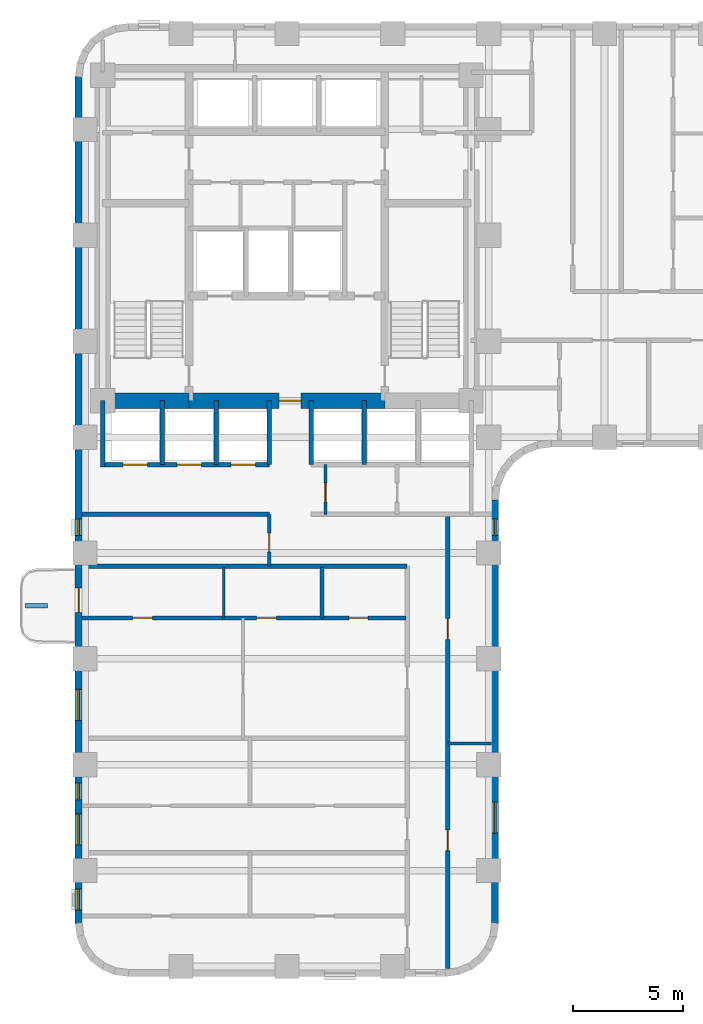
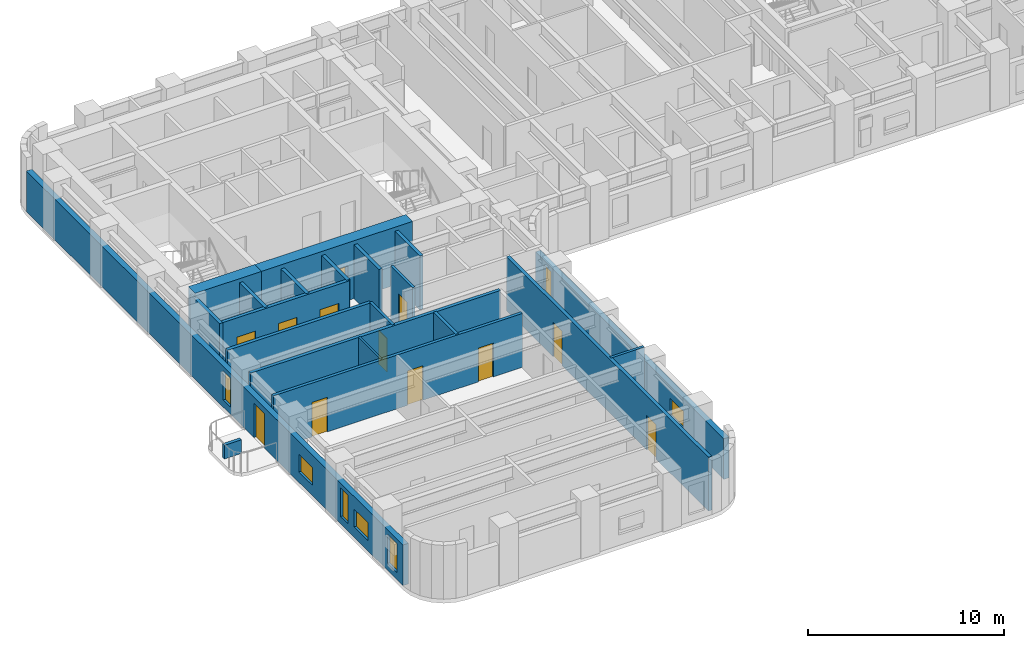
# One storey, part 3 of 11: 21 walls, 12 doors, 7 windows, 19 openings.
"""IFC4 building model written with IfcOpenShell, lengths in metres."""

from ifc_helpers import new_model, si_unit, direction, frame, frame_2d, origin, place, context, subcontext, project, spatial, rectangle, extrude, material, layer, layer_set, type_object, element, fill, save


model = new_model("IFC4")

# Units and contexts
model_context = context("Model", 3, precision=1e-05, world=origin(), true_north=direction((0.0, 1.0)))
body_context = subcontext(model_context, "Body", "Model", "MODEL_VIEW")
ifc_project = project(units=[si_unit("LENGTHUNIT", "METRE"), si_unit("AREAUNIT", "SQUARE_METRE"), si_unit("VOLUMEUNIT", "CUBIC_METRE"), si_unit("PLANEANGLEUNIT", "RADIAN"), si_unit("MASSUNIT", "GRAM", prefix="KILO")], contexts=[model_context])

# Site, building, storey
site_placement = place(None, origin())
site = spatial("IfcSite", under=ifc_project, at=site_placement, CompositionType="ELEMENT")
building_placement = place(site_placement, origin())
building = spatial("IfcBuilding", under=site, at=building_placement, Name="Orvandelia Arch Residences", CompositionType="ELEMENT")
storey_placement = place(building_placement, frame((0.0, 0.0, 79.0)))
storey = spatial("IfcBuildingStorey", under=building, at=storey_placement, Name="L20", CompositionType="ELEMENT", Elevation=79.0)

# Wall
ifc_material_1 = material(Name="Concrete C80/95", Category="concrete")
ifc_layer_1 = layer(ifc_material_1, 0.699951171875, Name="Concrete C80/95", Category="concrete")
ifc_layer_set_1 = layer_set([ifc_layer_1], Name="Concrete C80/95")
wall_type_1 = type_object("IfcWallType", Name="WL-CORE-700", PredefinedType="SHEAR", material=ifc_layer_set_1)
wall_1_placement = place(storey_placement, frame((6.050048828125, 30.89990234375, 0.0), z_axis=(0.0, 0.0, 1.0), x_axis=(1.0, 0.0, 0.0)))
element("IfcWall", 1, at=wall_1_placement, inside=storey, type_object=wall_type_1, Name="Core Shear Wall L20-SW", PredefinedType="SHEAR", context=body_context, shape_type="SweptSolid", body=[
    extrude(rectangle(XDim=3.909912109375, YDim=0.699951171875, at=frame_2d((1.955078125, 0.0))), origin(), (0.0, 0.0, 1.0), 3.60009765625),
])

# Wall, opening, door
wall_2_placement = place(storey_placement, frame((9.9599609375, 30.89990234375, 0.0), z_axis=(0.0, 0.0, 1.0), x_axis=(1.0, 0.0, 0.0)))
wall_2 = element("IfcWall", 2, at=wall_2_placement, inside=storey, type_object=wall_type_1, Name="Core Shear Wall L20-SM", PredefinedType="SHEAR", context=body_context, shape_type="SweptSolid", body=[
    extrude(rectangle(XDim=8.880126953125, YDim=0.699951171875, at=frame_2d((4.43994140625, 0.0))), origin(), (0.0, 0.0, 1.0), 3.60009765625),
])
opening_1_placement = place(wall_2_placement, frame((4.090087890625, 0.0, 0.0)))
opening_1 = element("IfcOpeningElement", 3, at=opening_1_placement, cuts=wall_2, Name="Opening D6", PredefinedType="OPENING", context=body_context, shape_type="SweptSolid", body=[
    extrude(rectangle(XDim=1.0, YDim=2.14990234375, at=frame_2d((0.5, 1.074951171875))), frame((0.0, 0.35986328125, 0.0), z_axis=(0.0, -1.0, 0.0), x_axis=(1.0, 0.0, 0.0)), (0.0, 0.0, 1.0), 0.719970703125),
])
ifc_material_2 = material(Name="Smokeproof Painted Steel Fire Door", Category="steel")
door_type_1 = type_object("IfcDoorType", Name="DR-FD60-1000", OperationType="NOTDEFINED", PredefinedType="DOOR", material=ifc_material_2)
door_1_placement = place(opening_1_placement, origin())
door_1 = element("IfcDoor", 4, at=door_1_placement, inside=storey, type_object=door_type_1, Name="Firefighting Lobby Smokeproof Door L20", OperationType="SINGLE_SWING_LEFT", OverallHeight=2.14990234375, OverallWidth=1.0, PredefinedType="DOOR", context=body_context, shape_type="SweptSolid", body=[
    extrude(rectangle(XDim=1.0, YDim=2.14990234375, at=frame_2d((0.5, 1.074951171875))), frame((0.0, 0.02490234375, 0.0), z_axis=(0.0, -1.0, 0.0), x_axis=(1.0, 0.0, 0.0)), (0.0, 0.0, 1.0), 0.050048828125),
])
fill(opening_1, door_1)

# Wall, openings, doors
ifc_material_3 = material(Name="Fire-Rated Corridor Partition")
ifc_layer_2 = layer(ifc_material_3, 0.199951171875, Name="Fire-Rated Corridor Partition")
ifc_layer_set_2 = layer_set([ifc_layer_2], Name="Fire-Rated Corridor Partition")
wall_type_2 = type_object("IfcWallType", Name="WL-CORR-200", PredefinedType="PARTITIONING", material=ifc_layer_set_2)
wall_3_placement = place(storey_placement, frame((21.699951171875, 5.159912109375, 0.0), z_axis=(0.0, 0.0, 1.0), x_axis=(0.0, 1.0, 0.0)))
wall_3 = element("IfcWall", 5, at=wall_3_placement, inside=storey, type_object=wall_type_2, Name="Interior Partition Wall WL-L20-WC-E", PredefinedType="PARTITIONING", context=body_context, shape_type="SweptSolid", body=[
    extrude(rectangle(XDim=20.590087890625, YDim=0.199951171875, at=frame_2d((10.294921875, 0.0))), origin(), (0.0, 0.0, 1.0), 3.35009765625),
])
opening_2_placement = place(wall_3_placement, frame((5.340087890625, 0.0, 0.0)))
opening_2 = element("IfcOpeningElement", 6, at=opening_2_placement, cuts=wall_3, Name="Opening D2", PredefinedType="OPENING", context=body_context, shape_type="SweptSolid", body=[
    extrude(rectangle(XDim=0.949951171875, YDim=2.14990234375, at=frame_2d((0.47509765625, 1.074951171875))), frame((0.0, 0.10986328125, 0.0), z_axis=(0.0, -1.0, 0.0), x_axis=(1.0, 0.0, 0.0)), (0.0, 0.0, 1.0), 0.219970703125),
])
opening_3_placement = place(wall_3_placement, frame((14.909912109375, 0.0, 0.0)))
opening_3 = element("IfcOpeningElement", 7, at=opening_3_placement, cuts=wall_3, Name="Opening D2", PredefinedType="OPENING", context=body_context, shape_type="SweptSolid", body=[
    extrude(rectangle(XDim=0.949951171875, YDim=2.14990234375, at=frame_2d((0.47509765625, 1.074951171875))), frame((0.0, 0.10986328125, 0.0), z_axis=(0.0, -1.0, 0.0), x_axis=(1.0, 0.0, 0.0)), (0.0, 0.0, 1.0), 0.219970703125),
])
ifc_material_4 = material(Name="Solid-Core Timber Interior Fire Door", Category="wood")
door_type_2 = type_object("IfcDoorType", Name="DR-APT-950", OperationType="NOTDEFINED", PredefinedType="DOOR", material=ifc_material_4)
door_2_placement = place(opening_2_placement, origin())
door_2 = element("IfcDoor", 8, at=door_2_placement, inside=storey, type_object=door_type_2, Name="DR-L20-EGALV1", OperationType="SINGLE_SWING_LEFT", OverallHeight=2.14990234375, OverallWidth=0.949951171875, PredefinedType="DOOR", context=body_context, shape_type="SweptSolid", body=[
    extrude(rectangle(XDim=0.949951171875, YDim=2.14990234375, at=frame_2d((0.47509765625, 1.074951171875))), frame((0.0, 0.02490234375, 0.0), z_axis=(0.0, -1.0, 0.0), x_axis=(1.0, 0.0, 0.0)), (0.0, 0.0, 1.0), 0.050048828125),
])
fill(opening_2, door_2)
door_3_placement = place(opening_3_placement, origin())
door_3 = element("IfcDoor", 9, at=door_3_placement, inside=storey, type_object=door_type_2, Name="DR-L20-EGLDY1", OperationType="SINGLE_SWING_RIGHT", OverallHeight=2.14990234375, OverallWidth=0.949951171875, PredefinedType="DOOR", context=body_context, shape_type="SweptSolid", body=[
    extrude(rectangle(XDim=0.949951171875, YDim=2.14990234375, at=frame_2d((0.47509765625, 1.074951171875))), frame((0.0, 0.02490234375, 0.0), z_axis=(0.0, -1.0, 0.0), x_axis=(1.0, 0.0, 0.0)), (0.0, 0.0, 1.0), 0.050048828125),
])
fill(opening_3, door_3)

# Walls
wall_4_placement = place(storey_placement, frame((5.1201171875, 23.39990234375, 0.0), z_axis=(0.0, 0.0, 1.0), x_axis=(1.0, 0.0, 0.0)))
element("IfcWall", 10, at=wall_4_placement, inside=storey, type_object=wall_type_2, Name="Interior Partition Wall WL-L20-WLNK-S", PredefinedType="PARTITIONING", context=body_context, shape_type="SweptSolid", body=[
    extrude(rectangle(XDim=14.72998046875, YDim=0.199951171875, at=frame_2d((7.364990234375, 0.0))), origin(), (0.0, 0.0, 1.0), 3.35009765625),
])
wall_5_placement = place(storey_placement, frame((5.1201171875, 25.75, 0.0), z_axis=(0.0, 0.0, 1.0), x_axis=(1.0, 0.0, 0.0)))
element("IfcWall", 11, at=wall_5_placement, inside=storey, type_object=wall_type_2, Name="Interior Partition Wall WL-L20-WLNK-NW2", PredefinedType="PARTITIONING", context=body_context, shape_type="SweptSolid", body=[
    extrude(rectangle(XDim=8.47998046875, YDim=0.199951171875, at=frame_2d((4.239990234375, 0.0))), origin(), (0.0, 0.0, 1.0), 3.35009765625),
])

# Wall, openings, windows
ifc_material_5 = material(Name="Precast concrete C40/50", Category="concrete")
ifc_layer_3 = layer(ifc_material_5, 0.320068359375, Name="Precast concrete C40/50", Category="concrete")
ifc_layer_set_3 = layer_set([ifc_layer_3], Name="Precast concrete C40/50")
wall_type_3 = type_object("IfcWallType", Name="WL-EXT-STONE-320", PredefinedType="STANDARD", material=ifc_layer_set_3)
wall_6_placement = place(storey_placement, frame((23.840087890625, 26.39990234375, 0.0), z_axis=(0.0, 0.0, 1.0), x_axis=(0.0, -1.0, 0.0)))
wall_6 = element("IfcWall", 12, at=wall_6_placement, inside=storey, type_object=wall_type_3, Name="Coral-Limestone Precast Facade Wall L20-028", PredefinedType="STANDARD", context=body_context, shape_type="SweptSolid", body=[
    extrude(rectangle(XDim=19.199951171875, YDim=0.320068359375, at=frame_2d((9.60009765625, 0.0))), origin(), (0.0, 0.0, 1.0), 2.530029296875),
])
opening_4_placement = place(wall_6_placement, frame((13.699951171875, 0.0, 0.64990234375)))
opening_4 = element("IfcOpeningElement", 13, at=opening_4_placement, cuts=wall_6, Name="Opening W10", PredefinedType="OPENING", context=body_context, shape_type="SweptSolid", body=[
    extrude(rectangle(XDim=1.39990234375, YDim=1.10009765625, at=frame_2d((0.699951171875, 0.550048828125))), frame((0.0, 0.169921875, 0.0), z_axis=(0.0, -1.0, 0.0), x_axis=(1.0, 0.0, 0.0)), (0.0, 0.0, 1.0), 0.340087890625),
])
opening_5_placement = place(wall_6_placement, frame((0.864990234375, 0.0, 0.449951171875)))
opening_5 = element("IfcOpeningElement", 14, at=opening_5_placement, cuts=wall_6, Name="Opening W11", PredefinedType="OPENING", context=body_context, shape_type="SweptSolid", body=[
    extrude(rectangle(XDim=0.75, YDim=1.800048828125, at=frame_2d((0.375, 0.89990234375))), frame((0.0, 0.169921875, 0.0), z_axis=(0.0, -1.0, 0.0), x_axis=(1.0, 0.0, 0.0)), (0.0, 0.0, 1.0), 0.340087890625),
])
ifc_material_6 = material(Name="Tempered Low-E Insulated Glazing", Category="glass")
window_type_1 = type_object("IfcWindowType", Name="WIN-BED-0750x1800", PartitioningType="SINGLE_PANEL", PredefinedType="WINDOW", material=ifc_material_6)
window_1_placement = place(opening_5_placement, origin())
window_1 = element("IfcWindow", 15, at=window_1_placement, inside=storey, type_object=window_type_1, Name="Recessed Punched Window L20-023", OverallHeight=1.800048828125, OverallWidth=0.75, PartitioningType="SINGLE_PANEL", PredefinedType="WINDOW", context=body_context, shape_type="SweptSolid", body=[
    extrude(rectangle(XDim=0.75, YDim=1.800048828125, at=frame_2d((0.375, 0.89990234375))), frame((0.0, 0.030029296875, 0.0), z_axis=(0.0, -1.0, 0.0), x_axis=(1.0, 0.0, 0.0)), (0.0, 0.0, 1.0), 0.06005859375),
])
fill(opening_5, window_1)
window_type_2 = type_object("IfcWindowType", Name="WIN-CLR-1400x1100", PartitioningType="SINGLE_PANEL", PredefinedType="WINDOW", material=ifc_material_6)
window_2_placement = place(opening_4_placement, origin())
window_2 = element("IfcWindow", 16, at=window_2_placement, inside=storey, type_object=window_type_2, Name="Recessed Punched Window L20-022", OverallHeight=1.10009765625, OverallWidth=1.39990234375, PartitioningType="SINGLE_PANEL", PredefinedType="WINDOW", context=body_context, shape_type="SweptSolid", body=[
    extrude(rectangle(XDim=1.39990234375, YDim=1.10009765625, at=frame_2d((0.699951171875, 0.550048828125))), frame((0.0, 0.030029296875, 0.0), z_axis=(0.0, -1.0, 0.0), x_axis=(1.0, 0.0, 0.0)), (0.0, 0.0, 1.0), 0.06005859375),
])
fill(opening_4, window_2)

# Wall, openings, door, windows
wall_7_placement = place(storey_placement, frame((4.9599609375, 7.199951171875, 0.0), z_axis=(0.0, 0.0, 1.0), x_axis=(0.0, 1.0, 0.0)))
wall_7 = element("IfcWall", 17, at=wall_7_placement, inside=storey, type_object=wall_type_3, Name="Coral-Limestone Precast Facade Wall L20-042", PredefinedType="STANDARD", context=body_context, shape_type="SweptSolid", body=[
    extrude(rectangle(XDim=38.400146484375, YDim=0.320068359375, at=frame_2d((19.2001953125, 0.0))), origin(), (0.0, 0.0, 1.0), 2.530029296875),
])
opening_6_placement = place(wall_7_placement, frame((14.10009765625, 0.0, 0.0)))
opening_6 = element("IfcOpeningElement", 18, at=opening_6_placement, cuts=wall_7, Name="Opening BD1", PredefinedType="OPENING", context=body_context, shape_type="SweptSolid", body=[
    extrude(rectangle(XDim=1.10009765625, YDim=2.14990234375, at=frame_2d((0.550048828125, 1.074951171875))), frame((0.0, 0.169921875, 0.0), z_axis=(0.0, -1.0, 0.0), x_axis=(1.0, 0.0, 0.0)), (0.0, 0.0, 1.0), 0.340087890625),
])
opening_7_placement = place(wall_7_placement, frame((3.570068359375, 0.0, 0.64990234375)))
opening_7 = element("IfcOpeningElement", 19, at=opening_7_placement, cuts=wall_7, Name="Opening W10", PredefinedType="OPENING", context=body_context, shape_type="SweptSolid", body=[
    extrude(rectangle(XDim=1.39990234375, YDim=1.10009765625, at=frame_2d((0.699951171875, 0.550048828125))), frame((0.0, 0.169921875, 0.0), z_axis=(0.0, -1.0, 0.0), x_axis=(1.0, 0.0, 0.0)), (0.0, 0.0, 1.0), 0.340087890625),
])
opening_8_placement = place(wall_7_placement, frame((0.611083984375, 0.0, 0.449951171875)))
opening_8 = element("IfcOpeningElement", 20, at=opening_8_placement, cuts=wall_7, Name="Opening W4", PredefinedType="OPENING", context=body_context, shape_type="SweptSolid", body=[
    extrude(rectangle(XDim=0.949951171875, YDim=1.800048828125, at=frame_2d((0.47509765625, 0.89990234375))), frame((0.0, 0.169921875, 0.0), z_axis=(0.0, -1.0, 0.0), x_axis=(1.0, 0.0, 0.0)), (0.0, 0.0, 1.0), 0.340087890625),
])
opening_9_placement = place(wall_7_placement, frame((5.610107421875, 0.0, 0.449951171875)))
opening_9 = element("IfcOpeningElement", 21, at=opening_9_placement, cuts=wall_7, Name="Opening W11", PredefinedType="OPENING", context=body_context, shape_type="SweptSolid", body=[
    extrude(rectangle(XDim=0.75, YDim=1.800048828125, at=frame_2d((0.375, 0.89990234375))), frame((0.0, 0.169921875, 0.0), z_axis=(0.0, -1.0, 0.0), x_axis=(1.0, 0.0, 0.0)), (0.0, 0.0, 1.0), 0.340087890625),
])
opening_10_placement = place(wall_7_placement, frame((9.215087890625, 0.0, 0.64990234375)))
opening_10 = element("IfcOpeningElement", 22, at=opening_10_placement, cuts=wall_7, Name="Opening W10", PredefinedType="OPENING", context=body_context, shape_type="SweptSolid", body=[
    extrude(rectangle(XDim=1.39990234375, YDim=1.10009765625, at=frame_2d((0.699951171875, 0.550048828125))), frame((0.0, 0.169921875, 0.0), z_axis=(0.0, -1.0, 0.0), x_axis=(1.0, 0.0, 0.0)), (0.0, 0.0, 1.0), 0.340087890625),
])
opening_11_placement = place(wall_7_placement, frame((17.580078125, 0.0, 0.449951171875)))
opening_11 = element("IfcOpeningElement", 23, at=opening_11_placement, cuts=wall_7, Name="Opening W11", PredefinedType="OPENING", context=body_context, shape_type="SweptSolid", body=[
    extrude(rectangle(XDim=0.75, YDim=1.800048828125, at=frame_2d((0.375, 0.89990234375))), frame((0.0, 0.169921875, 0.0), z_axis=(0.0, -1.0, 0.0), x_axis=(1.0, 0.0, 0.0)), (0.0, 0.0, 1.0), 0.340087890625),
])
ifc_material_7 = material(Name="Thermally Broken Aluminium Glazed Door", Category="aluminium")
door_type_3 = type_object("IfcDoorType", Name="DR-BAL-GLAZ-1100", OperationType="NOTDEFINED", PredefinedType="DOOR", material=ifc_material_7)
door_4_placement = place(opening_6_placement, origin())
door_4 = element("IfcDoor", 24, at=door_4_placement, inside=storey, type_object=door_type_3, Name="Tree Balcony Glazed Door BAL-L20-W1", OperationType="SINGLE_SWING_RIGHT", OverallHeight=2.14990234375, OverallWidth=1.10009765625, PredefinedType="DOOR", context=body_context, shape_type="SweptSolid", body=[
    extrude(rectangle(XDim=1.10009765625, YDim=2.14990234375, at=frame_2d((0.550048828125, 1.074951171875))), frame((0.0, 0.02490234375, 0.0), z_axis=(0.0, -1.0, 0.0), x_axis=(1.0, 0.0, 0.0)), (0.0, 0.0, 1.0), 0.050048828125),
])
fill(opening_6, door_4)
window_3_placement = place(opening_9_placement, origin())
window_3 = element("IfcWindow", 25, at=window_3_placement, inside=storey, type_object=window_type_1, Name="Recessed Punched Window L20-028", OverallHeight=1.800048828125, OverallWidth=0.75, PartitioningType="SINGLE_PANEL", PredefinedType="WINDOW", context=body_context, shape_type="SweptSolid", body=[
    extrude(rectangle(XDim=0.75, YDim=1.800048828125, at=frame_2d((0.375, 0.89990234375))), frame((0.0, 0.030029296875, 0.0), z_axis=(0.0, -1.0, 0.0), x_axis=(1.0, 0.0, 0.0)), (0.0, 0.0, 1.0), 0.06005859375),
])
fill(opening_9, window_3)
window_4_placement = place(opening_11_placement, origin())
window_4 = element("IfcWindow", 26, at=window_4_placement, inside=storey, type_object=window_type_1, Name="Recessed Punched Window L20-030", OverallHeight=1.800048828125, OverallWidth=0.75, PartitioningType="SINGLE_PANEL", PredefinedType="WINDOW", context=body_context, shape_type="SweptSolid", body=[
    extrude(rectangle(XDim=0.75, YDim=1.800048828125, at=frame_2d((0.375, 0.89990234375))), frame((0.0, 0.030029296875, 0.0), z_axis=(0.0, -1.0, 0.0), x_axis=(1.0, 0.0, 0.0)), (0.0, 0.0, 1.0), 0.06005859375),
])
fill(opening_11, window_4)
window_5_placement = place(opening_7_placement, origin())
window_5 = element("IfcWindow", 27, at=window_5_placement, inside=storey, type_object=window_type_2, Name="Recessed Punched Window L20-026", OverallHeight=1.10009765625, OverallWidth=1.39990234375, PartitioningType="SINGLE_PANEL", PredefinedType="WINDOW", context=body_context, shape_type="SweptSolid", body=[
    extrude(rectangle(XDim=1.39990234375, YDim=1.10009765625, at=frame_2d((0.699951171875, 0.550048828125))), frame((0.0, 0.030029296875, 0.0), z_axis=(0.0, -1.0, 0.0), x_axis=(1.0, 0.0, 0.0)), (0.0, 0.0, 1.0), 0.06005859375),
])
fill(opening_7, window_5)
window_6_placement = place(opening_10_placement, origin())
window_6 = element("IfcWindow", 28, at=window_6_placement, inside=storey, type_object=window_type_2, Name="Recessed Punched Window L20-029", OverallHeight=1.10009765625, OverallWidth=1.39990234375, PartitioningType="SINGLE_PANEL", PredefinedType="WINDOW", context=body_context, shape_type="SweptSolid", body=[
    extrude(rectangle(XDim=1.39990234375, YDim=1.10009765625, at=frame_2d((0.699951171875, 0.550048828125))), frame((0.0, 0.030029296875, 0.0), z_axis=(0.0, -1.0, 0.0), x_axis=(1.0, 0.0, 0.0)), (0.0, 0.0, 1.0), 0.06005859375),
])
fill(opening_10, window_6)
window_type_3 = type_object("IfcWindowType", Name="WIN-RES-0950x1800", PartitioningType="SINGLE_PANEL", PredefinedType="WINDOW", material=ifc_material_6)
window_7_placement = place(opening_8_placement, origin())
window_7 = element("IfcWindow", 29, at=window_7_placement, inside=storey, type_object=window_type_3, Name="Recessed Punched Window L20-027", OverallHeight=1.800048828125, OverallWidth=0.949951171875, PartitioningType="SINGLE_PANEL", PredefinedType="WINDOW", context=body_context, shape_type="SweptSolid", body=[
    extrude(rectangle(XDim=0.949951171875, YDim=1.800048828125, at=frame_2d((0.47509765625, 0.89990234375))), frame((0.0, 0.030029296875, 0.0), z_axis=(0.0, -1.0, 0.0), x_axis=(1.0, 0.0, 0.0)), (0.0, 0.0, 1.0), 0.06005859375),
])
fill(opening_8, window_7)

# Wall
ifc_material_8 = material(Name="Lightweight Gypsum Stud Partition")
ifc_layer_4 = layer(ifc_material_8, 0.1201171875, Name="Lightweight Gypsum Stud Partition")
ifc_layer_set_4 = layer_set([ifc_layer_4], Name="Lightweight Gypsum Stud Partition")
wall_type_4 = type_object("IfcWallType", Name="WL-PART-120", PredefinedType="PARTITIONING", material=ifc_layer_set_4)
wall_8_placement = place(storey_placement, frame((11.541015625, 21.06005859375, 0.0), z_axis=(0.0, 0.0, 1.0), x_axis=(0.0, 1.0, 0.0)))
element("IfcWall", 30, at=wall_8_placement, inside=storey, type_object=wall_type_4, Name="Interior Partition Wall WL-L20-U03-V1", PredefinedType="PARTITIONING", context=body_context, shape_type="SweptSolid", body=[
    extrude(rectangle(XDim=2.280029296875, YDim=0.1201171875, at=frame_2d((1.14013671875, 0.0))), origin(), (0.0, 0.0, 1.0), 3.35009765625),
])

# Wall, opening, door
ifc_material_9 = material(Name="Acoustic Gypsum Stud Partition")
ifc_layer_5 = layer(ifc_material_9, 0.14990234375, Name="Acoustic Gypsum Stud Partition")
ifc_layer_set_5 = layer_set([ifc_layer_5], Name="Acoustic Gypsum Stud Partition")
wall_type_5 = type_object("IfcWallType", Name="WL-PART-150", PredefinedType="PARTITIONING", material=ifc_layer_set_5)
wall_9_placement = place(storey_placement, frame((16.14990234375, 25.75, 0.0), z_axis=(0.0, 0.0, 1.0), x_axis=(0.0, 1.0, 0.0)))
wall_9 = element("IfcWall", 31, at=wall_9_placement, inside=storey, type_object=wall_type_5, Name="Interior Partition Wall WL-L20-HLS-EW", PredefinedType="PARTITIONING", context=body_context, shape_type="SweptSolid", body=[
    extrude(rectangle(XDim=2.25, YDim=0.14990234375, at=frame_2d((1.125, 0.0))), origin(), (0.0, 0.0, 1.0), 3.35009765625),
])
opening_12_placement = place(wall_9_placement, frame((0.550048828125, 0.0, 0.0)))
opening_12 = element("IfcOpeningElement", 32, at=opening_12_placement, cuts=wall_9, Name="Opening D5", PredefinedType="OPENING", context=body_context, shape_type="SweptSolid", body=[
    extrude(rectangle(XDim=0.8798828125, YDim=2.10009765625, at=frame_2d((0.43994140625, 1.050048828125))), frame((0.0, 0.0849609375, 0.0), z_axis=(0.0, -1.0, 0.0), x_axis=(1.0, 0.0, 0.0)), (0.0, 0.0, 1.0), 0.169921875),
])
ifc_material_10 = material(Name="Painted Galvanised Steel Service Door", Category="steel")
door_type_4 = type_object("IfcDoorType", Name="DR-SRV-880", OperationType="NOTDEFINED", PredefinedType="DOOR", material=ifc_material_10)
door_5_placement = place(opening_12_placement, origin())
door_5 = element("IfcDoor", 33, at=door_5_placement, inside=storey, type_object=door_type_4, Name="DR-L20-CSZ1A", OperationType="SINGLE_SWING_LEFT", OverallHeight=2.10009765625, OverallWidth=0.8798828125, PredefinedType="DOOR", context=body_context, shape_type="SweptSolid", body=[
    extrude(rectangle(XDim=0.8798828125, YDim=2.10009765625, at=frame_2d((0.43994140625, 1.050048828125))), frame((0.0, 0.02490234375, 0.0), z_axis=(0.0, -1.0, 0.0), x_axis=(1.0, 0.0, 0.0)), (0.0, 0.0, 1.0), 0.050048828125),
])
fill(opening_12, door_5)

wall_10_placement = place(storey_placement, frame((13.60009765625, 23.39990234375, 0.0), z_axis=(0.0, 0.0, 1.0), x_axis=(0.0, 1.0, 0.0)))
wall_10 = element("IfcWall", 34, at=wall_10_placement, inside=storey, type_object=wall_type_5, Name="Interior Partition Wall WL-L20-WLNK-W", PredefinedType="PARTITIONING", context=body_context, shape_type="SweptSolid", body=[
    extrude(rectangle(XDim=2.35009765625, YDim=0.14990234375, at=frame_2d((1.175048828125, 0.0))), origin(), (0.0, 0.0, 1.0), 3.35009765625),
])
opening_13_placement = place(wall_10_placement, frame((0.64990234375, 0.0, 0.0)))
opening_13 = element("IfcOpeningElement", 35, at=opening_13_placement, cuts=wall_10, Name="Opening D4", PredefinedType="OPENING", context=body_context, shape_type="SweptSolid", body=[
    extrude(rectangle(XDim=0.860107421875, YDim=2.10009765625, at=frame_2d((0.43017578125, 1.050048828125))), frame((0.0, 0.0849609375, 0.0), z_axis=(0.0, -1.0, 0.0), x_axis=(1.0, 0.0, 0.0)), (0.0, 0.0, 1.0), 0.169921875),
])
ifc_material_11 = material(Name="Moisture-Sealed Timber Bathroom Door", Category="wood")
door_type_5 = type_object("IfcDoorType", Name="DR-WET-900", OperationType="NOTDEFINED", PredefinedType="DOOR", material=ifc_material_11)
door_6_placement = place(opening_13_placement, origin())
door_6 = element("IfcDoor", 36, at=door_6_placement, inside=storey, type_object=door_type_5, Name="DR-L20-WLNKST", OperationType="SINGLE_SWING_LEFT", OverallHeight=2.10009765625, OverallWidth=0.860107421875, PredefinedType="DOOR", context=body_context, shape_type="SweptSolid", body=[
    extrude(rectangle(XDim=0.860107421875, YDim=2.10009765625, at=frame_2d((0.43017578125, 1.050048828125))), frame((0.0, 0.02490234375, 0.0), z_axis=(0.0, -1.0, 0.0), x_axis=(1.0, 0.0, 0.0)), (0.0, 0.0, 1.0), 0.050048828125),
])
fill(opening_13, door_6)

# Walls
wall_11_placement = place(storey_placement, frame((21.699951171875, 15.360107421875, 0.0), z_axis=(0.0, 0.0, 1.0), x_axis=(1.0, 0.0, 0.0)))
element("IfcWall", 37, at=wall_11_placement, inside=storey, type_object=wall_type_5, Name="Interior Partition Wall WL-L20-EGDIV-1", PredefinedType="PARTITIONING", context=body_context, shape_type="SweptSolid", body=[
    extrude(rectangle(XDim=1.97998046875, YDim=0.14990234375, at=frame_2d((0.989990234375, 0.0))), origin(), (0.0, 0.0, 1.0), 3.35009765625),
])
ifc_layer_6 = layer(ifc_material_5, 0.199951171875, Name="Precast concrete C40/50", Category="concrete")
ifc_layer_set_6 = layer_set([ifc_layer_6], Name="Precast concrete C40/50")
wall_type_6 = type_object("IfcWallType", Name="WL-PLANTER-200", PredefinedType="MOVABLE", material=ifc_layer_set_6)
wall_12_placement = place(storey_placement, frame((2.550048828125, 21.60009765625, 0.0), z_axis=(0.0, 0.0, 1.0), x_axis=(1.0, 0.0, 0.0)))
element("IfcWall", 38, at=wall_12_placement, inside=storey, type_object=wall_type_6, Name="Balcony Precast Tree Planter BAL-L20-W1", PredefinedType="MOVABLE", context=body_context, shape_type="SweptSolid", body=[
    extrude(rectangle(XDim=1.0, YDim=0.199951171875, at=frame_2d((0.5, 0.0))), origin(), (0.0, 0.0, 1.0), 0.85009765625),
])

# Wall, openings, doors
ifc_material_12 = material(Name="Fire-Rated Shaft Enclosure Wall")
ifc_layer_7 = layer(ifc_material_12, 0.199951171875, Name="Fire-Rated Shaft Enclosure Wall")
ifc_layer_set_7 = layer_set([ifc_layer_7], Name="Fire-Rated Shaft Enclosure Wall")
wall_type_7 = type_object("IfcWallType", Name="WL-SHAFT-200", PredefinedType="POLYGONAL", material=ifc_layer_set_7)
wall_13_placement = place(storey_placement, frame((6.050048828125, 28.0, 0.0), z_axis=(0.0, 0.0, 1.0), x_axis=(1.0, 0.0, 0.0)))
wall_13 = element("IfcWall", 39, at=wall_13_placement, inside=storey, type_object=wall_type_7, Name="Interior Partition Wall WL-L20-BNKL-S", PredefinedType="POLYGONAL", context=body_context, shape_type="SweptSolid", body=[
    extrude(rectangle(XDim=7.550048828125, YDim=0.199951171875, at=frame_2d((3.77490234375, 0.0))), origin(), (0.0, 0.0, 1.0), 3.35009765625),
])
opening_14_placement = place(wall_13_placement, frame((0.925048828125, 0.0, 0.0)))
opening_14 = element("IfcOpeningElement", 40, at=opening_14_placement, cuts=wall_13, Name="Opening LD", PredefinedType="OPENING", context=body_context, shape_type="SweptSolid", body=[
    extrude(rectangle(XDim=1.10009765625, YDim=2.14990234375, at=frame_2d((0.550048828125, 1.074951171875))), frame((0.0, 0.10986328125, 0.0), z_axis=(0.0, -1.0, 0.0), x_axis=(1.0, 0.0, 0.0)), (0.0, 0.0, 1.0), 0.219970703125),
])
opening_15_placement = place(wall_13_placement, frame((3.375, 0.0, 0.0)))
opening_15 = element("IfcOpeningElement", 41, at=opening_15_placement, cuts=wall_13, Name="Opening LD", PredefinedType="OPENING", context=body_context, shape_type="SweptSolid", body=[
    extrude(rectangle(XDim=1.10009765625, YDim=2.14990234375, at=frame_2d((0.550048828125, 1.074951171875))), frame((0.0, 0.10986328125, 0.0), z_axis=(0.0, -1.0, 0.0), x_axis=(1.0, 0.0, 0.0)), (0.0, 0.0, 1.0), 0.219970703125),
])
opening_16_placement = place(wall_13_placement, frame((5.824951171875, 0.0, 0.0)))
opening_16 = element("IfcOpeningElement", 42, at=opening_16_placement, cuts=wall_13, Name="Opening LD", PredefinedType="OPENING", context=body_context, shape_type="SweptSolid", body=[
    extrude(rectangle(XDim=1.10009765625, YDim=2.14990234375, at=frame_2d((0.550048828125, 1.074951171875))), frame((0.0, 0.10986328125, 0.0), z_axis=(0.0, -1.0, 0.0), x_axis=(1.0, 0.0, 0.0)), (0.0, 0.0, 1.0), 0.219970703125),
])
ifc_material_13 = material(Name="Brushed Stainless Steel Sliding Lift Door", Category="steel")
door_type_6 = type_object("IfcDoorType", Name="DR-LIFT-1100", OperationType="NOTDEFINED", PredefinedType="DOOR", material=ifc_material_13)
door_7_placement = place(opening_14_placement, origin())
door_7 = element("IfcDoor", 43, at=door_7_placement, inside=storey, type_object=door_type_6, Name="Lift Landing Door LD-PL1", OperationType="SLIDING_TO_LEFT", OverallHeight=2.14990234375, OverallWidth=1.10009765625, PredefinedType="DOOR", context=body_context, shape_type="SweptSolid", body=[
    extrude(rectangle(XDim=1.10009765625, YDim=2.14990234375, at=frame_2d((0.550048828125, 1.074951171875))), frame((0.0, 0.02490234375, 0.0), z_axis=(0.0, -1.0, 0.0), x_axis=(1.0, 0.0, 0.0)), (0.0, 0.0, 1.0), 0.050048828125),
])
fill(opening_14, door_7)
door_8_placement = place(opening_15_placement, origin())
door_8 = element("IfcDoor", 44, at=door_8_placement, inside=storey, type_object=door_type_6, Name="Lift Landing Door LD-PL2", OperationType="SLIDING_TO_RIGHT", OverallHeight=2.14990234375, OverallWidth=1.10009765625, PredefinedType="DOOR", context=body_context, shape_type="SweptSolid", body=[
    extrude(rectangle(XDim=1.10009765625, YDim=2.14990234375, at=frame_2d((0.550048828125, 1.074951171875))), frame((0.0, 0.02490234375, 0.0), z_axis=(0.0, -1.0, 0.0), x_axis=(1.0, 0.0, 0.0)), (0.0, 0.0, 1.0), 0.050048828125),
])
fill(opening_15, door_8)
door_9_placement = place(opening_16_placement, origin())
door_9 = element("IfcDoor", 45, at=door_9_placement, inside=storey, type_object=door_type_6, Name="Lift Landing Door LD-PL3", OperationType="SLIDING_TO_LEFT", OverallHeight=2.14990234375, OverallWidth=1.10009765625, PredefinedType="DOOR", context=body_context, shape_type="SweptSolid", body=[
    extrude(rectangle(XDim=1.10009765625, YDim=2.14990234375, at=frame_2d((0.550048828125, 1.074951171875))), frame((0.0, 0.02490234375, 0.0), z_axis=(0.0, -1.0, 0.0), x_axis=(1.0, 0.0, 0.0)), (0.0, 0.0, 1.0), 0.050048828125),
])
fill(opening_16, door_9)

# Walls
wall_14_placement = place(storey_placement, frame((6.050048828125, 27.89990234375, 0.0), z_axis=(0.0, 0.0, 1.0), x_axis=(0.0, 1.0, 0.0)))
element("IfcWall", 46, at=wall_14_placement, inside=storey, type_object=wall_type_7, Name="Interior Partition Wall WL-L20-BNKL-W", PredefinedType="POLYGONAL", context=body_context, shape_type="SweptSolid", body=[
    extrude(rectangle(XDim=3.0, YDim=0.199951171875, at=frame_2d((1.5, 0.0))), origin(), (0.0, 0.0, 1.0), 3.35009765625),
])
for number, where, z_axis, x_axis, name in (
    (47, (13.60009765625, 28.0, 0.0), (0.0, 0.0, 1.0), (0.0, 1.0, 0.0), "Interior Partition Wall WL-L20-BNKL-E"),
    (48, (15.5, 28.0, 0.0), (0.0, 0.0, 1.0), (0.0, 1.0, 0.0), "Interior Partition Wall WL-L20-BNKM-W"),
    (49, (8.75, 28.0, 0.0), (0.0, 0.0, 1.0), (0.0, 1.0, 0.0), "Interior Partition Wall WL-L20-BNKD-875"),
    (50, (11.199951171875, 28.0, 0.0), (0.0, 0.0, 1.0), (0.0, 1.0, 0.0), "Interior Partition Wall WL-L20-BNKD-1120"),
    (51, (17.89990234375, 28.0, 0.0), (0.0, 0.0, 1.0), (0.0, 1.0, 0.0), "Interior Partition Wall WL-L20-BNKD-1789"),
):
    element("IfcWall", number, at=place(storey_placement, frame(where, z_axis=z_axis, x_axis=x_axis)), inside=storey, type_object=wall_type_7, Name=name, PredefinedType="POLYGONAL", context=body_context, shape_type="SweptSolid", body=[
        extrude(rectangle(XDim=2.89990234375, YDim=0.199951171875, at=frame_2d((1.449951171875, 0.0))), origin(), (0.0, 0.0, 1.0), 3.35009765625),
    ])

# Wall, openings, doors
ifc_material_14 = material(Name="Moisture-Resistant Plumbing Wall")
ifc_layer_8 = layer(ifc_material_14, 0.179931640625, Name="Moisture-Resistant Plumbing Wall")
ifc_layer_set_8 = layer_set([ifc_layer_8], Name="Moisture-Resistant Plumbing Wall")
wall_type_8 = type_object("IfcWallType", Name="WL-WET-180", PredefinedType="PLUMBINGWALL", material=ifc_layer_set_8)
wall_15_placement = place(storey_placement, frame((5.1201171875, 21.06005859375, 0.0), z_axis=(0.0, 0.0, 1.0), x_axis=(1.0, 0.0, 0.0)))
wall_15 = element("IfcWall", 52, at=wall_15_placement, inside=storey, type_object=wall_type_8, Name="Interior Partition Wall WL-L20-U03-HZ", PredefinedType="PLUMBINGWALL", context=body_context, shape_type="SweptSolid", body=[
    extrude(rectangle(XDim=14.669921875, YDim=0.179931640625, at=frame_2d((7.3349609375, 0.0))), origin(), (0.0, 0.0, 1.0), 3.35009765625),
])
opening_17_placement = place(wall_15_placement, frame((2.283935546875, 0.0, 0.0)))
opening_17 = element("IfcOpeningElement", 53, at=opening_17_placement, cuts=wall_15, Name="Opening D3", PredefinedType="OPENING", context=body_context, shape_type="SweptSolid", body=[
    extrude(rectangle(XDim=0.89990234375, YDim=2.14990234375, at=frame_2d((0.449951171875, 1.074951171875))), frame((0.0, 0.10009765625, 0.0), z_axis=(0.0, -1.0, 0.0), x_axis=(1.0, 0.0, 0.0)), (0.0, 0.0, 1.0), 0.199951171875),
])
opening_18_placement = place(wall_15_placement, frame((7.90771484375, 0.0, 0.0)))
opening_18 = element("IfcOpeningElement", 54, at=opening_18_placement, cuts=wall_15, Name="Opening D3", PredefinedType="OPENING", context=body_context, shape_type="SweptSolid", body=[
    extrude(rectangle(XDim=0.89990234375, YDim=2.14990234375, at=frame_2d((0.449951171875, 1.074951171875))), frame((0.0, 0.10009765625, 0.0), z_axis=(0.0, -1.0, 0.0), x_axis=(1.0, 0.0, 0.0)), (0.0, 0.0, 1.0), 0.199951171875),
])
opening_19_placement = place(wall_15_placement, frame((12.087890625, 0.0, 0.0)))
opening_19 = element("IfcOpeningElement", 55, at=opening_19_placement, cuts=wall_15, Name="Opening D4", PredefinedType="OPENING", context=body_context, shape_type="SweptSolid", body=[
    extrude(rectangle(XDim=0.860107421875, YDim=2.10009765625, at=frame_2d((0.43017578125, 1.050048828125))), frame((0.0, 0.10009765625, 0.0), z_axis=(0.0, -1.0, 0.0), x_axis=(1.0, 0.0, 0.0)), (0.0, 0.0, 1.0), 0.199951171875),
])
ifc_material_15 = material(Name="Engineered Timber Flush Door", Category="wood")
door_type_7 = type_object("IfcDoorType", Name="DR-INT-900", OperationType="NOTDEFINED", PredefinedType="DOOR", material=ifc_material_15)
door_10_placement = place(opening_17_placement, origin())
door_10 = element("IfcDoor", 56, at=door_10_placement, inside=storey, type_object=door_type_7, Name="DR-L20-U03-BD1", OperationType="SINGLE_SWING_LEFT", OverallHeight=2.14990234375, OverallWidth=0.89990234375, PredefinedType="DOOR", context=body_context, shape_type="SweptSolid", body=[
    extrude(rectangle(XDim=0.89990234375, YDim=2.14990234375, at=frame_2d((0.449951171875, 1.074951171875))), frame((0.0, 0.02490234375, 0.0), z_axis=(0.0, -1.0, 0.0), x_axis=(1.0, 0.0, 0.0)), (0.0, 0.0, 1.0), 0.050048828125),
])
fill(opening_17, door_10)
door_11_placement = place(opening_18_placement, origin())
door_11 = element("IfcDoor", 57, at=door_11_placement, inside=storey, type_object=door_type_7, Name="DR-L20-U03-KIT", OperationType="SINGLE_SWING_RIGHT", OverallHeight=2.14990234375, OverallWidth=0.89990234375, PredefinedType="DOOR", context=body_context, shape_type="SweptSolid", body=[
    extrude(rectangle(XDim=0.89990234375, YDim=2.14990234375, at=frame_2d((0.449951171875, 1.074951171875))), frame((0.0, 0.02490234375, 0.0), z_axis=(0.0, -1.0, 0.0), x_axis=(1.0, 0.0, 0.0)), (0.0, 0.0, 1.0), 0.050048828125),
])
fill(opening_18, door_11)
door_12_placement = place(opening_19_placement, origin())
door_12 = element("IfcDoor", 58, at=door_12_placement, inside=storey, type_object=door_type_5, Name="DR-L20-U03-BTH", OperationType="SINGLE_SWING_LEFT", OverallHeight=2.10009765625, OverallWidth=0.860107421875, PredefinedType="DOOR", context=body_context, shape_type="SweptSolid", body=[
    extrude(rectangle(XDim=0.860107421875, YDim=2.10009765625, at=frame_2d((0.43017578125, 1.050048828125))), frame((0.0, 0.02490234375, 0.0), z_axis=(0.0, -1.0, 0.0), x_axis=(1.0, 0.0, 0.0)), (0.0, 0.0, 1.0), 0.050048828125),
])
fill(opening_19, door_12)

# Wall
wall_16_placement = place(storey_placement, frame((15.9951171875, 21.06005859375, 0.0), z_axis=(0.0, 0.0, 1.0), x_axis=(0.0, 1.0, 0.0)))
element("IfcWall", 59, at=wall_16_placement, inside=storey, type_object=wall_type_8, Name="Interior Partition Wall WL-L20-U03-V2", PredefinedType="PLUMBINGWALL", context=body_context, shape_type="SweptSolid", body=[
    extrude(rectangle(XDim=2.280029296875, YDim=0.179931640625, at=frame_2d((1.14013671875, 0.0))), origin(), (0.0, 0.0, 1.0), 3.35009765625),
])

save(model, "model.ifc")
